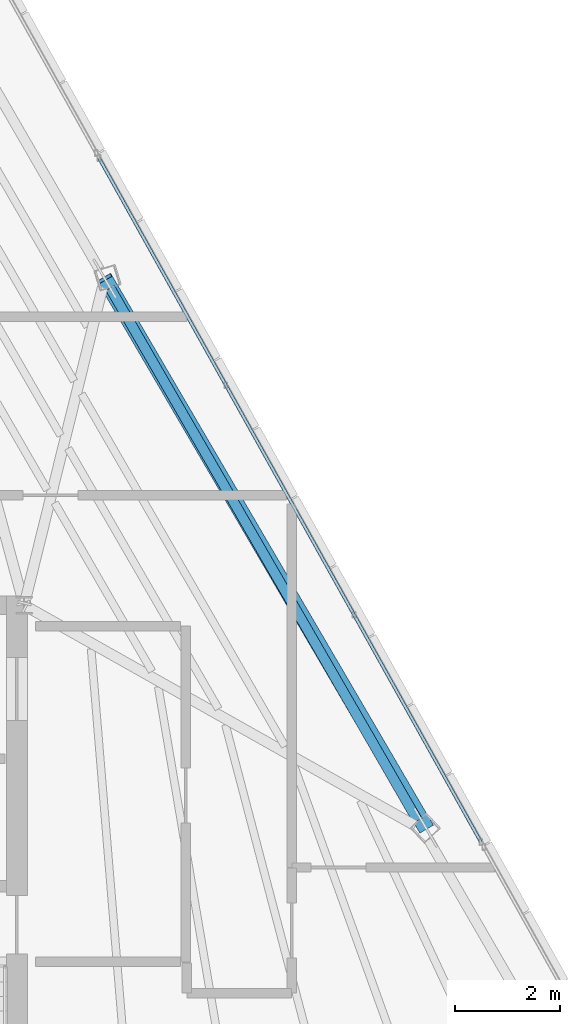
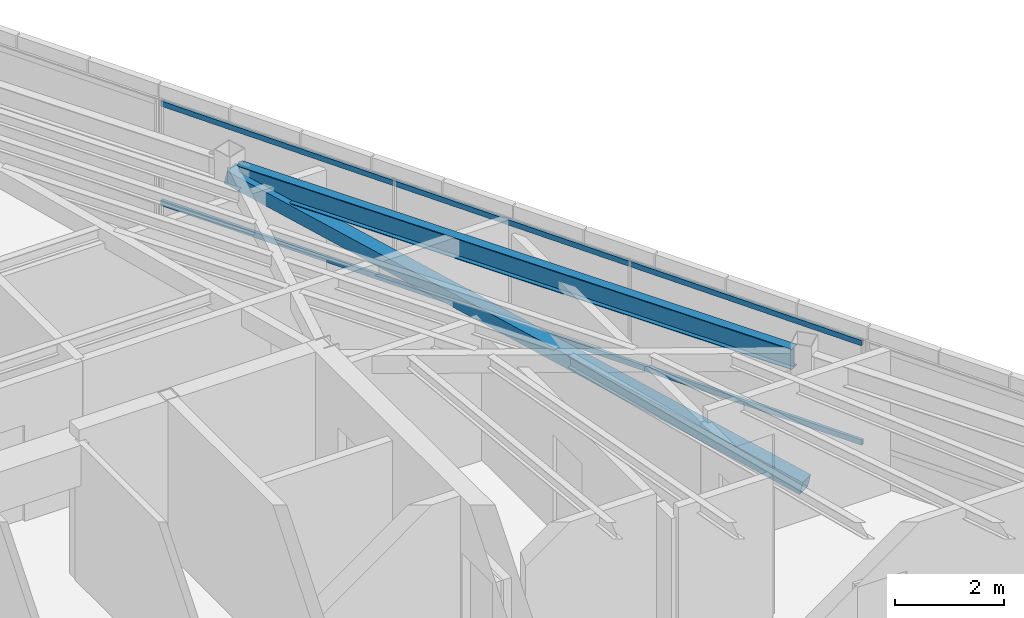
# One storey, part 29 of 44: 3 members, 1 beam, 1 element without a shape of its own.
"""IFC4 building model written with IfcOpenShell, lengths in metres."""

from ifc_helpers import new_model, si_unit, direction, frame, origin, origin_2d, place, context, subcontext, project, spatial, hollow_rectangle, i_section, extrude, source, transform, mapped, material, material_profile, profile_set, type_object, type_shapes, element, aggregate, save


model = new_model("IFC4")

# Units and contexts
model_context = context("Model", 3, precision=1e-05, world=origin(), true_north=direction((0.0, 1.0)))
body_context = subcontext(model_context, "Body", "Model", "MODEL_VIEW")
ifc_project = project(units=[si_unit("LENGTHUNIT", "METRE"), si_unit("AREAUNIT", "SQUARE_METRE"), si_unit("VOLUMEUNIT", "CUBIC_METRE"), si_unit("PLANEANGLEUNIT", "RADIAN"), si_unit("MASSUNIT", "GRAM", prefix="KILO")], contexts=[model_context])

# Site, building, storey
site_placement = place(None, origin())
site = spatial("IfcSite", under=ifc_project, at=site_placement, CompositionType="ELEMENT")
building_placement = place(site_placement, origin())
building = spatial("IfcBuilding", under=site, at=building_placement, Name="Caelisora Broadcast Tower", CompositionType="ELEMENT")
storey_placement = place(building_placement, frame((0.0, 0.0, 289.800048828125)))
storey = spatial("IfcBuildingStorey", under=building, at=storey_placement, Name="L76", CompositionType="ELEMENT", Elevation=289.800048828125)

# Beam
ifc_material_1 = material(Name="Steel Grade 350 (AS/NZS 3679.1)", Category="steel")
ifc_material_profile_1 = material_profile(ifc_material_1, i_section(OverallWidth=0.19091796875, OverallDepth=0.46044921875, WebThickness=0.010009765625, FlangeThickness=0.01611328125, at=origin_2d()), Name="Steel Grade 350 (AS/NZS 3679.1)")
ifc_profile_set_1 = profile_set([ifc_material_profile_1], Name="Steel Grade 350 (AS/NZS 3679.1)")
beam_type = type_object("IfcBeamType", Name="PG06", PredefinedType="BEAM", material=ifc_profile_set_1)
shared_shape_1 = source(origin(), body_context, "Body", "SweptSolid", [
    extrude(i_section(OverallWidth=0.19091796875, OverallDepth=0.46044921875, WebThickness=0.010009765625, FlangeThickness=0.01611328125, at=origin_2d()), origin(), (0.0, 0.0, 1.0), 11.7236328125),
])
type_shapes(beam_type, [shared_shape_1])
beam_placement = place(storey_placement, frame((53.002685546875, 25.89306640625, 2.919677734375), z_axis=(-0.499995851058, 0.866027799164, 0.0), x_axis=(-0.866027799164, -0.499995851058, 0.0)))
element("IfcBeam", 1, at=beam_placement, inside=storey, type_object=beam_type, Name="L76 beam PG06", PredefinedType="BEAM", context=body_context, shape_type="MappedRepresentation", body=[
    mapped(shared_shape_1, transform((0.0, 0.0, 0.0), scale=1.0)),
])

# Member
ifc_material_2 = material(Name="Steel Grade 450 (AS/NZS 1163 C450L0)", Category="steel")
ifc_material_profile_2 = material_profile(ifc_material_2, hollow_rectangle(XDim=0.300048828125, YDim=0.300048828125, WallThickness=0.012451171875, at=origin_2d()), Name="Steel Grade 450 (AS/NZS 1163 C450L0)")
ifc_profile_set_2 = profile_set([ifc_material_profile_2], Name="Steel Grade 450 (AS/NZS 1163 C450L0)")
member_type_1 = type_object("IfcMemberType", Name="BR06", PredefinedType="BRACE", material=ifc_profile_set_2)
shared_shape_2 = source(origin(), body_context, "Body", "SweptSolid", [
    extrude(hollow_rectangle(XDim=0.300048828125, YDim=0.300048828125, WallThickness=0.012451171875, at=origin_2d()), origin(), (0.0, 0.0, 1.0), 12.432373046875),
])
type_shapes(member_type_1, [shared_shape_2])
member_1_placement = place(storey_placement, frame((53.1572265625, 25.760009765625, 0.099853515625), z_axis=(-0.492290630144, 0.841856448772, 0.221195965453), x_axis=(-0.863239423958, -0.504794707702, 0.0)))
element("IfcMember", 2, at=member_1_placement, inside=storey, type_object=member_type_1, Name="L76 perimeter brace BR06", PredefinedType="BRACE", context=body_context, shape_type="MappedRepresentation", body=[
    mapped(shared_shape_2, transform((0.0, 0.0, 0.0), scale=1.0)),
])

# Curtain wall, members
ifc_material_3 = material(Name="Unitised Aluminium Insulated Shadow-Box Spandrel Curtain Wall", Category="aluminium")
curtain_wall_type = type_object("IfcCurtainWallType", Name="CW-SP3", PredefinedType="NOTDEFINED", material=ifc_material_3)
curtain_wall_placement = place(storey_placement, origin())
curtain_wall = element("IfcCurtainWall", 3, at=curtain_wall_placement, inside=storey, type_object=curtain_wall_type, Name="L76 curtain wall CW-SP3", PredefinedType="NOTDEFINED")
ifc_material_4 = material(Name="Aluminium 6063-T6 Anodised Terracotta Bronze", Category="aluminium")
ifc_material_profile_3 = material_profile(ifc_material_4, hollow_rectangle(XDim=0.06005859375, YDim=0.1201171875, WallThickness=0.0029296875, at=origin_2d()), Name="Aluminium 6063-T6 Anodised Terracotta Bronze")
ifc_profile_set_3 = profile_set([ifc_material_profile_3], Name="Aluminium 6063-T6 Anodised Terracotta Bronze")
member_type_2 = type_object("IfcMemberType", Name="CWT-03", PredefinedType="USERDEFINED", material=ifc_profile_set_3)
shared_shape_3 = source(origin(), body_context, "Body", "SweptSolid", [
    extrude(hollow_rectangle(XDim=0.06005859375, YDim=0.1201171875, WallThickness=0.0029296875, at=origin_2d()), origin(), (0.0, 0.0, 1.0), 14.938232421875),
])
type_shapes(member_type_2, [shared_shape_3])
member_2_placement = place(storey_placement, frame((46.926513671875, 38.527587890625, 0.849853515625), z_axis=(0.487470772925, -0.873139304775, 0.0), x_axis=(0.873139304775, 0.487470772925, 0.0)))
member_2 = element("IfcMember", 4, at=member_2_placement, type_object=member_type_2, Name="L76-CW-B02 transom #1", ObjectType="TRANSOM", PredefinedType="USERDEFINED", context=body_context, shape_type="MappedRepresentation", body=[
    mapped(shared_shape_3, transform((0.0, 0.0, 0.0), scale=1.0)),
])
member_3_placement = place(storey_placement, frame((46.926513671875, 38.527587890625, 3.070068359375), z_axis=(0.487470772925, -0.873139304775, 0.0), x_axis=(0.873139304775, 0.487470772925, 0.0)))
member_3 = element("IfcMember", 5, at=member_3_placement, type_object=member_type_2, Name="L76-CW-B02 transom #2", ObjectType="TRANSOM", PredefinedType="USERDEFINED", context=body_context, shape_type="MappedRepresentation", body=[
    mapped(shared_shape_3, transform((0.0, 0.0, 0.0), scale=1.0)),
])
aggregate(curtain_wall, [member_2, member_3])

save(model, "model.ifc")
